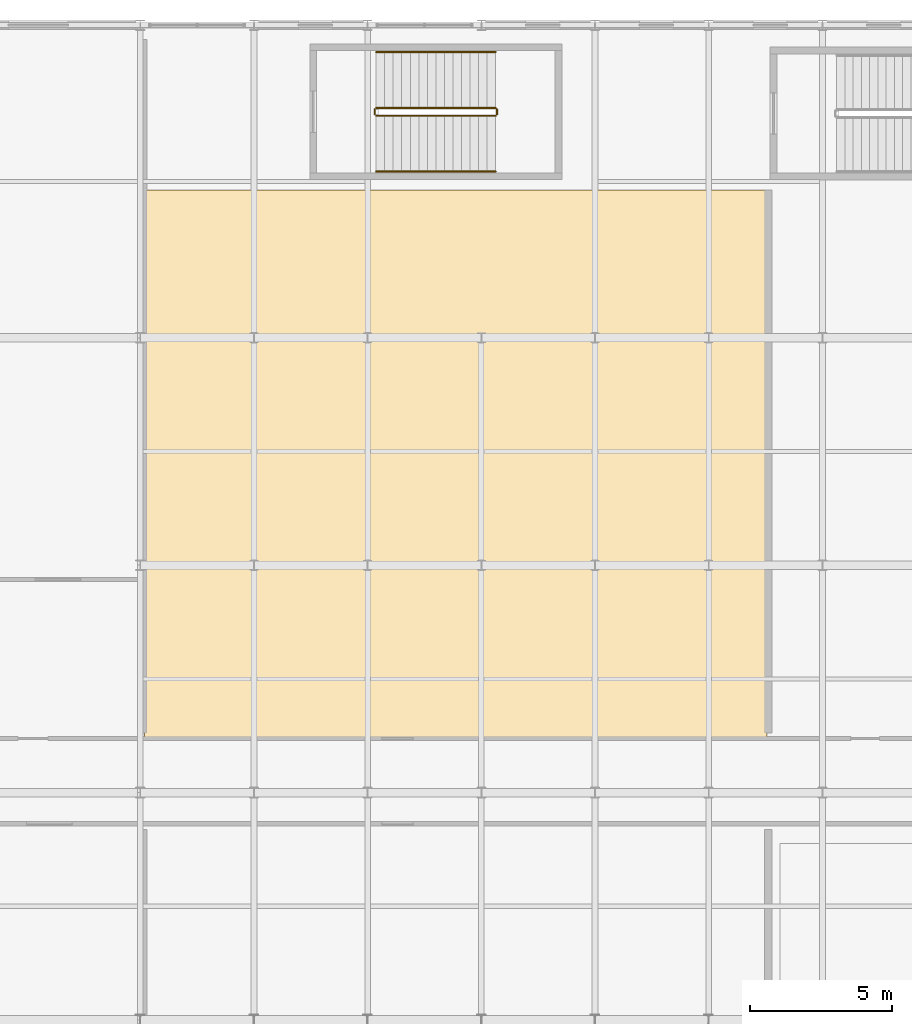
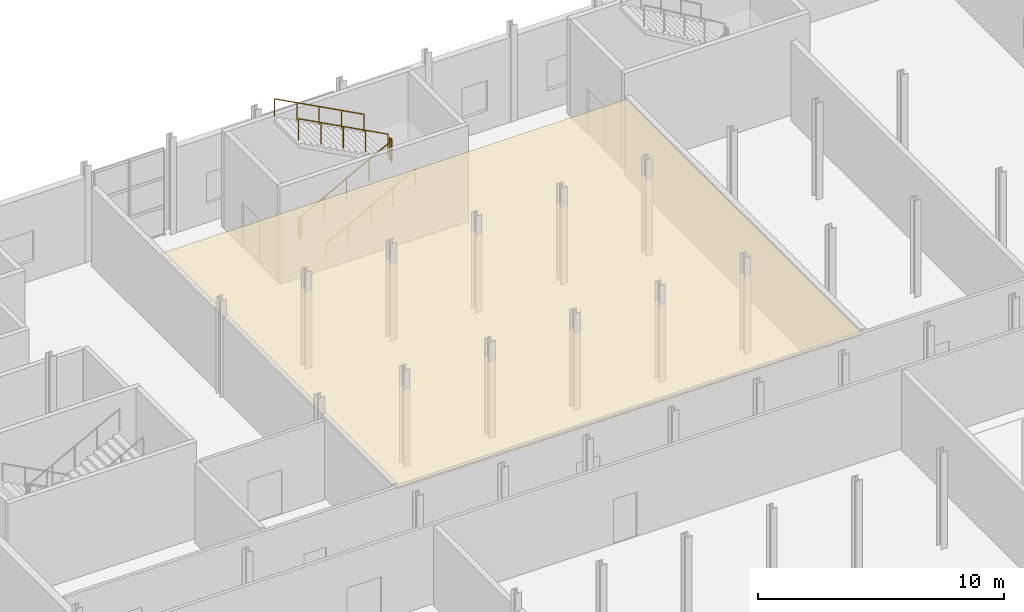
# One storey, part 140 of 143: 6 railings, 1 covering.
"""IFC4 building model written with IfcOpenShell, lengths in metres."""

from ifc_helpers import new_model, si_unit, derived_unit, direction, frame, origin, origin_2d, place, context, subcontext, project, spatial, polyline, circle, outline, extrude, material, layer, layer_set, type_object, element, save


model = new_model("IFC4")

# Units and contexts
model_context = context("Model", 3, precision=1e-05, world=origin(), true_north=direction((0.0, 1.0)))
body_context = subcontext(model_context, "Body", "Model", "MODEL_VIEW")
ifc_project = project(units=[si_unit("LENGTHUNIT", "METRE"), si_unit("AREAUNIT", "SQUARE_METRE"), si_unit("VOLUMEUNIT", "CUBIC_METRE"), si_unit("PLANEANGLEUNIT", "RADIAN"), si_unit("MASSUNIT", "GRAM", prefix="KILO"), derived_unit("THERMALTRANSMITTANCEUNIT", [(si_unit("POWERUNIT", "WATT"), 1), (si_unit("LENGTHUNIT", "METRE"), -2), (si_unit("THERMODYNAMICTEMPERATUREUNIT", "KELVIN"), -1)])], contexts=[model_context])

# Site, building, storey
site_placement = place(None, origin())
site = spatial("IfcSite", under=ifc_project, at=site_placement, CompositionType="ELEMENT")
building_placement = place(site_placement, origin())
building = spatial("IfcBuilding", under=site, at=building_placement, Name="Keldorne Ridge Multi-Sports Centre", CompositionType="ELEMENT")
storey_placement = place(building_placement, frame((0.0, 0.0, 4.800048828125)))
storey = spatial("IfcBuildingStorey", under=building, at=storey_placement, Name="L01", CompositionType="ELEMENT", Elevation=4.800048828125)

# Covering
ifc_material_1 = material(Name="Perforated acoustic mineral ceiling")
ifc_layer = layer(ifc_material_1, 0.0400390625)
ifc_layer_set = layer_set([ifc_layer])
covering_type = type_object("IfcCoveringType", Name="COV-CL-01", PredefinedType="CEILING", material=ifc_layer_set)
covering_placement = place(storey_placement, frame((0.0, 0.0, 3.75)))
element("IfcCovering", 1, at=covering_placement, inside=storey, type_object=covering_type, Name="Changing Village North acoustic ceiling", PredefinedType="CEILING", context=body_context, shape_type="SweptSolid", body=[
    extrude(outline(polyline([(120.14990234375, 91.949951171875), (142.050048828125, 91.949951171875), (142.050048828125, 111.199951171875), (120.14990234375, 111.199951171875), (120.14990234375, 91.949951171875)])), origin(), (0.0, 0.0, 1.0), 0.0400390625),
])

# Railings
ifc_material_2 = material(Name="Laminated glass and stainless steel", Category="steel")
railing_type_1 = type_object("IfcRailingType", Name="RLG-BL-01", PredefinedType="BALUSTRADE", material=ifc_material_2)
railing_1_placement = place(storey_placement, frame((128.300048828125, 113.81005859375, 0.159912109375)))
element("IfcRailing", 2, at=railing_1_placement, inside=storey, type_object=railing_type_1, Name="L01 ST-10 stair guard 1", PredefinedType="BALUSTRADE", context=body_context, shape_type="SweptSolid", body=[
    extrude(circle(Radius=0.02392578125, at=origin_2d()), frame((0.0, 0.0, 1.076171875), z_axis=(0.882351521365, 0.0, 0.470590897432), x_axis=(0.0, 1.0, 0.0)), (0.0, 0.0, 1.0), 4.760009765625),
    extrude(circle(Radius=0.02099609375, at=origin_2d()), origin(), (0.0, 0.0, 1.0), 1.052001953125),
    extrude(circle(Radius=0.02099609375, at=origin_2d()), frame((1.050048828125, 0.0, 0.56005859375)), (0.0, 0.0, 1.0), 1.052001953125),
    extrude(circle(Radius=0.02099609375, at=origin_2d()), frame((2.10009765625, 0.0, 1.1201171875)), (0.0, 0.0, 1.0), 1.052001953125),
    extrude(circle(Radius=0.02099609375, at=origin_2d()), frame((3.14990234375, 0.0, 1.679931640625)), (0.0, 0.0, 1.0), 1.052001953125),
    extrude(circle(Radius=0.02099609375, at=origin_2d()), frame((4.199951171875, 0.0, 2.239990234375)), (0.0, 0.0, 1.0), 1.052001953125),
])
railing_2_placement = place(storey_placement, frame((132.550048828125, 113.860107421875, 2.39990234375)))
element("IfcRailing", 3, at=railing_2_placement, inside=storey, type_object=railing_type_1, Name="L01 ST-10 stair guard 2", PredefinedType="BALUSTRADE", context=body_context, shape_type="SweptSolid", body=[
    extrude(circle(Radius=0.02392578125, at=origin_2d()), frame((0.0, 0.0, 1.076171875), z_axis=(0.0, 1.0, 0.0), x_axis=(-1.0, 0.0, 0.0)), (0.0, 0.0, 1.0), 0.179931640625),
    extrude(circle(Radius=0.02099609375, at=origin_2d()), origin(), (0.0, 0.0, 1.0), 1.052001953125),
    extrude(circle(Radius=0.02099609375, at=origin_2d()), frame((0.0, 0.179931640625, 0.0)), (0.0, 0.0, 1.0), 1.052001953125),
])
railing_3_placement = place(storey_placement, frame((132.5, 114.090087890625, 2.56005859375)))
element("IfcRailing", 4, at=railing_3_placement, inside=storey, type_object=railing_type_1, Name="L01 ST-10 stair guard 3", PredefinedType="BALUSTRADE", context=body_context, shape_type="SweptSolid", body=[
    extrude(circle(Radius=0.02392578125, at=origin_2d()), frame((0.0, 0.0, 1.076171875), z_axis=(-0.882351521365, 0.0, 0.470590897432), x_axis=(0.0, -1.0, 0.0)), (0.0, 0.0, 1.0), 4.760009765625),
    extrude(circle(Radius=0.02099609375, at=origin_2d()), origin(), (0.0, 0.0, 1.0), 1.052001953125),
    extrude(circle(Radius=0.02099609375, at=origin_2d()), frame((-1.050048828125, 0.0, 0.56005859375)), (0.0, 0.0, 1.0), 1.052001953125),
    extrude(circle(Radius=0.02099609375, at=origin_2d()), frame((-2.10009765625, 0.0, 1.1201171875)), (0.0, 0.0, 1.0), 1.052001953125),
    extrude(circle(Radius=0.02099609375, at=origin_2d()), frame((-3.14990234375, 0.0, 1.679931640625)), (0.0, 0.0, 1.0), 1.052001953125),
    extrude(circle(Radius=0.02099609375, at=origin_2d()), frame((-4.199951171875, 0.0, 2.239990234375)), (0.0, 0.0, 1.0), 1.052001953125),
])
railing_4_placement = place(storey_placement, frame((128.25, 113.860107421875, 0.0)))
element("IfcRailing", 5, at=railing_4_placement, inside=storey, type_object=railing_type_1, Name="L01 ST-10 stair guard 4", PredefinedType="BALUSTRADE", context=body_context, shape_type="SweptSolid", body=[
    extrude(circle(Radius=0.02392578125, at=origin_2d()), frame((0.0, 0.0, 1.076171875), z_axis=(0.0, 1.0, 0.0), x_axis=(-1.0, 0.0, 0.0)), (0.0, 0.0, 1.0), 0.179931640625),
    extrude(circle(Radius=0.02099609375, at=origin_2d()), origin(), (0.0, 0.0, 1.0), 1.052001953125),
    extrude(circle(Radius=0.02099609375, at=origin_2d()), frame((0.0, 0.179931640625, 0.0)), (0.0, 0.0, 1.0), 1.052001953125),
])
ifc_material_3 = material(Name="Stainless steel", Category="steel")
railing_type_2 = type_object("IfcRailingType", Name="RLG-HR-01", PredefinedType="HANDRAIL", material=ifc_material_3)
railing_5_placement = place(storey_placement, frame((128.300048828125, 111.85009765625, 0.159912109375)))
element("IfcRailing", 6, at=railing_5_placement, inside=storey, type_object=railing_type_2, Name="L01 ST-10 stair handrail 1", PredefinedType="HANDRAIL", context=body_context, shape_type="SweptSolid", body=[
    extrude(circle(Radius=0.02392578125, at=origin_2d()), frame((0.0, 0.0, 0.8759765625), z_axis=(0.882351521365, 0.0, 0.470590897432), x_axis=(0.0, 1.0, 0.0)), (0.0, 0.0, 1.0), 4.760009765625),
    extrude(circle(Radius=0.02099609375, at=origin_2d()), origin(), (0.0, 0.0, 1.0), 0.851806640625),
    extrude(circle(Radius=0.02099609375, at=origin_2d()), frame((1.050048828125, 0.0, 0.56005859375)), (0.0, 0.0, 1.0), 0.851806640625),
    extrude(circle(Radius=0.02099609375, at=origin_2d()), frame((2.10009765625, 0.0, 1.1201171875)), (0.0, 0.0, 1.0), 0.851806640625),
    extrude(circle(Radius=0.02099609375, at=origin_2d()), frame((3.14990234375, 0.0, 1.679931640625)), (0.0, 0.0, 1.0), 0.851806640625),
    extrude(circle(Radius=0.02099609375, at=origin_2d()), frame((4.199951171875, 0.0, 2.239990234375)), (0.0, 0.0, 1.0), 0.851806640625),
])
railing_6_placement = place(storey_placement, frame((132.5, 116.050048828125, 2.56005859375)))
element("IfcRailing", 7, at=railing_6_placement, inside=storey, type_object=railing_type_2, Name="L01 ST-10 stair handrail 2", PredefinedType="HANDRAIL", context=body_context, shape_type="SweptSolid", body=[
    extrude(circle(Radius=0.02392578125, at=origin_2d()), frame((0.0, 0.0, 0.8759765625), z_axis=(-0.882351521365, 0.0, 0.470590897432), x_axis=(0.0, -1.0, 0.0)), (0.0, 0.0, 1.0), 4.760009765625),
    extrude(circle(Radius=0.02099609375, at=origin_2d()), origin(), (0.0, 0.0, 1.0), 0.851806640625),
    extrude(circle(Radius=0.02099609375, at=origin_2d()), frame((-1.050048828125, 0.0, 0.56005859375)), (0.0, 0.0, 1.0), 0.851806640625),
    extrude(circle(Radius=0.02099609375, at=origin_2d()), frame((-2.10009765625, 0.0, 1.1201171875)), (0.0, 0.0, 1.0), 0.851806640625),
    extrude(circle(Radius=0.02099609375, at=origin_2d()), frame((-3.14990234375, 0.0, 1.679931640625)), (0.0, 0.0, 1.0), 0.851806640625),
    extrude(circle(Radius=0.02099609375, at=origin_2d()), frame((-4.199951171875, 0.0, 2.239990234375)), (0.0, 0.0, 1.0), 0.851806640625),
])

save(model, "model.ifc")
